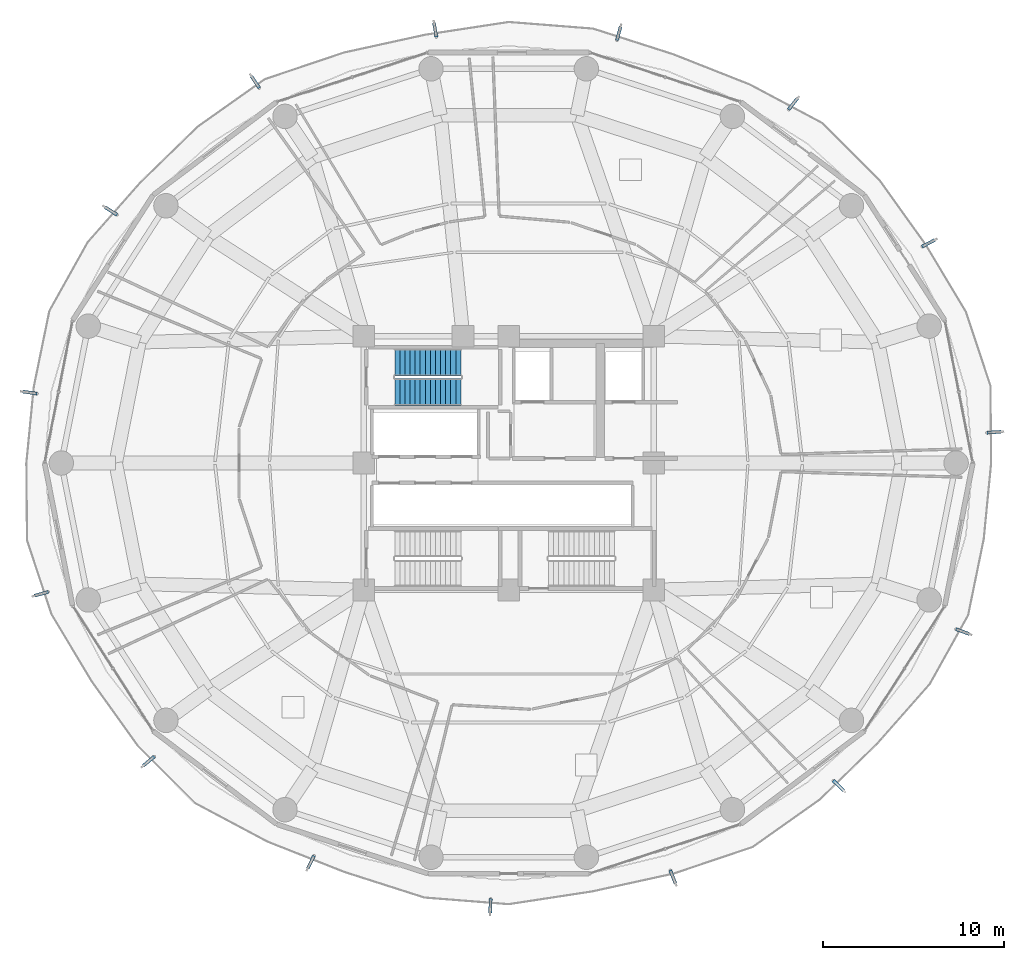
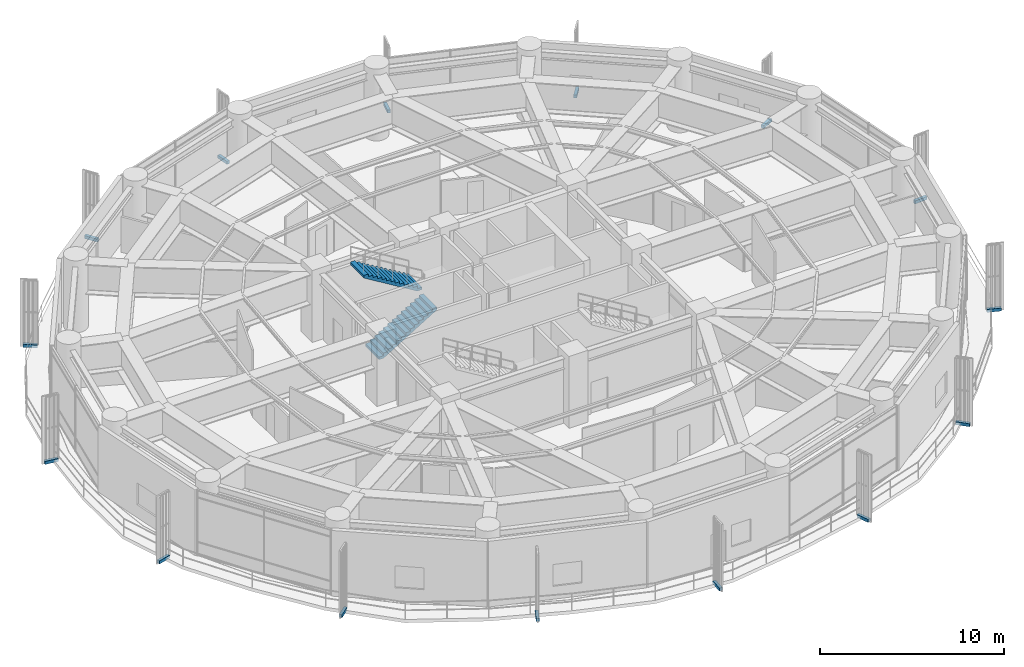
# One storey, part 30 of 34: 15 discrete accessories, 2 stair flights, 1 element without a shape of its own.
"""IFC4 building model written with IfcOpenShell, lengths in metres."""

from ifc_helpers import new_model, si_unit, direction, frame, origin, origin_2d, place, context, subcontext, project, spatial, polyline, rectangle, outline, extrude, source, transform, mapped, material, type_object, element, aggregate, save


model = new_model("IFC4")

# Units and contexts
model_context = context("Model", 3, precision=1e-05, world=origin(), true_north=direction((0.0, 1.0)))
body_context = subcontext(model_context, "Body", "Model", "MODEL_VIEW")
ifc_project = project(units=[si_unit("LENGTHUNIT", "METRE"), si_unit("AREAUNIT", "SQUARE_METRE"), si_unit("VOLUMEUNIT", "CUBIC_METRE"), si_unit("PLANEANGLEUNIT", "RADIAN"), si_unit("MASSUNIT", "GRAM", prefix="KILO")], contexts=[model_context])

# Site, building, storey
site_placement = place(None, origin())
site = spatial("IfcSite", under=ifc_project, at=site_placement, CompositionType="ELEMENT")
building_placement = place(site_placement, origin())
building = spatial("IfcBuilding", under=site, at=building_placement, Name="Kelanora Arch Commons", CompositionType="ELEMENT")
storey_placement = place(building_placement, frame((0.0, 0.0, 125.10009765625)))
storey = spatial("IfcBuildingStorey", under=building, at=storey_placement, Name="L32", CompositionType="ELEMENT", Elevation=125.10009765625)

# Stair, stair flights
ifc_material_1 = material(Name="Concrete C40/50", Category="concrete")
stair_type = type_object("IfcStairType", Name="STR-DL-476", PredefinedType="HALF_TURN_STAIR", material=ifc_material_1)
stair_placement = place(storey_placement, origin())
stair = element("IfcStair", 1, at=stair_placement, inside=storey, type_object=stair_type, Name="L32 ST-T1", PredefinedType="HALF_TURN_STAIR")
stair_flight_type = type_object("IfcStairFlightType", Name="FLT-DL-476", PredefinedType="STRAIGHT", material=ifc_material_1)
stair_flight_1_placement = place(storey_placement, frame((67.719970703125, 61.919921875, 0.0), z_axis=(0.0, 0.0, 1.0), x_axis=(1.0, 0.0, 0.0)))
stair_flight_1 = element("IfcStairFlight", 2, at=stair_flight_1_placement, type_object=stair_flight_type, Name="ST-T1 flight 1", NumberOfRisers=14, NumberOfTreads=13, PredefinedType="STRAIGHT", RiserHeight=0.17, TreadLength=0.28, context=body_context, shape_type="SweptSolid", body=[
    extrude(outline(polyline([(0.0, 0.0), (0.0, 0.169921875), (0.280029296875, 0.169921875), (0.280029296875, 0.340087890625), (0.56005859375, 0.340087890625), (0.56005859375, 0.510009765625), (0.840087890625, 0.510009765625), (0.840087890625, 0.679931640625), (1.1201171875, 0.679931640625), (1.1201171875, 0.85009765625), (1.39990234375, 0.85009765625), (1.39990234375, 1.02001953125), (1.679931640625, 1.02001953125), (1.679931640625, 1.18994140625), (1.9599609375, 1.18994140625), (1.9599609375, 1.360107421875), (2.239990234375, 1.360107421875), (2.239990234375, 1.530029296875), (2.52001953125, 1.530029296875), (2.52001953125, 1.699951171875), (2.800048828125, 1.699951171875), (2.800048828125, 1.8701171875), (3.080078125, 1.8701171875), (3.080078125, 2.0400390625), (3.360107421875, 2.0400390625), (3.360107421875, 2.2099609375), (3.639892578125, 2.2099609375), (3.639892578125, 2.3798828125), (3.639892578125, 2.03466796875), (0.288818359375, 0.0), (0.0, 0.0)])), frame((0.0, 0.739990234375, 0.0), z_axis=(0.0, -1.0, 0.0), x_axis=(1.0, 0.0, 0.0)), (0.0, 0.0, 1.0), 1.47998046875),
])
stair_flight_2_placement = place(storey_placement, frame((71.360107421875, 63.550048828125, 2.3798828125), z_axis=(0.0, 0.0, 1.0), x_axis=(-1.0, 0.0, 0.0)))
stair_flight_2 = element("IfcStairFlight", 3, at=stair_flight_2_placement, type_object=stair_flight_type, Name="ST-T1 flight 2", NumberOfRisers=14, NumberOfTreads=13, PredefinedType="STRAIGHT", RiserHeight=0.17, TreadLength=0.28, context=body_context, shape_type="SweptSolid", body=[
    extrude(outline(polyline([(0.0, 0.0), (0.0, 0.169921875), (0.280029296875, 0.169921875), (0.280029296875, 0.340087890625), (0.56005859375, 0.340087890625), (0.56005859375, 0.510009765625), (0.840087890625, 0.510009765625), (0.840087890625, 0.679931640625), (1.1201171875, 0.679931640625), (1.1201171875, 0.85009765625), (1.39990234375, 0.85009765625), (1.39990234375, 1.02001953125), (1.679931640625, 1.02001953125), (1.679931640625, 1.18994140625), (1.9599609375, 1.18994140625), (1.9599609375, 1.360107421875), (2.239990234375, 1.360107421875), (2.239990234375, 1.530029296875), (2.52001953125, 1.530029296875), (2.52001953125, 1.699951171875), (2.800048828125, 1.699951171875), (2.800048828125, 1.8701171875), (3.080078125, 1.8701171875), (3.080078125, 2.0400390625), (3.360107421875, 2.0400390625), (3.360107421875, 2.2099609375), (3.639892578125, 2.2099609375), (3.639892578125, 2.3798828125), (3.639892578125, 2.03466796875), (0.288818359375, 0.0), (0.0, 0.0)])), frame((0.0, 0.739990234375, 0.0), z_axis=(0.0, -1.0, 0.0), x_axis=(1.0, 0.0, 0.0)), (0.0, 0.0, 1.0), 1.47998046875),
])
aggregate(stair, [stair_flight_1, stair_flight_2])

# Discrete accessories
ifc_material_2 = material(Name="Stainless steel 316 marine fin bracket", Category="steel")
discrete_accessory_type = type_object("IfcDiscreteAccessoryType", Name="ACC-FIN-BRK", PredefinedType="BRACKET", material=ifc_material_2)
shared_shape = source(origin(), body_context, "Body", "SweptSolid", [
    extrude(rectangle(XDim=0.7900390625, YDim=0.179931640625, at=origin_2d()), origin(), (0.0, 0.0, 1.0), 0.199951171875),
])
for number, where, z_axis, x_axis, name in (
    (4, (97.15478515625, 70.1220703125, -0.16015625), (0.0, 0.0, 1.0), (0.885960876527, 0.4637599867, 0.0), "Sweeping Fin Cantilever Spine Bracket L32-00"),
    (5, (89.6826171875, 77.809814453125, -0.16015625), (0.0, 0.0, 1.0), (0.620737354217, 0.784018582101, 0.0), "Sweeping Fin Cantilever Spine Bracket L32-01"),
    (6, (80.0693359375, 81.69482421875, -0.16015625), (0.0, 0.0, 1.0), (0.248182704141, 0.968713242072, 0.0), "Sweeping Fin Cantilever Spine Bracket L32-02"),
    (7, (69.9453125, 81.888427734375, -0.16015625), (0.0, 0.0, 1.0), (-0.16728499015, 0.985908582005, 0.0), "Sweeping Fin Cantilever Spine Bracket L32-03"),
    (8, (60.019775390625, 79.015869140625, -0.16015625), (0.0, 0.0, 1.0), (-0.553827589908, 0.832631371411, 0.0), "Sweeping Fin Cantilever Spine Bracket L32-04"),
    (9, (52.063232421875, 71.90380859375, -0.16015625), (0.0, 0.0, 1.0), (-0.844608368004, 0.535384632481, 0.0), "Sweeping Fin Cantilever Spine Bracket L32-05"),
    (10, (47.593505859375, 61.8837890625, -0.16015625), (0.0, 0.0, 1.0), (-0.989348686247, 0.145565026779, 0.0), "Sweeping Fin Cantilever Spine Bracket L32-06"),
    (11, (48.22314453125, 50.787109375, -0.16015625), (0.0, 0.0, 1.0), (-0.963021628687, -0.26942409447, 0.0), "Sweeping Fin Cantilever Spine Bracket L32-07"),
    (12, (54.146484375, 41.556396484375, -0.16015625), (0.0, 0.0, 1.0), (-0.77017938275, -0.637827342144, 0.0), "Sweeping Fin Cantilever Spine Bracket L32-08"),
    (13, (63.089111328125, 35.98828125, -0.16015625), (0.0, 0.0, 1.0), (-0.444166124676, -0.895944447882, 0.0), "Sweeping Fin Cantilever Spine Bracket L32-09"),
    (14, (72.990234375, 33.573486328125, -0.16015625), (0.0, 0.0, 1.0), (-0.041352508522, -0.999144619181, 0.0), "Sweeping Fin Cantilever Spine Bracket L32-10"),
    (15, (83.053955078125, 35.17041015625, -0.16015625), (0.0, 0.0, 1.0), (0.36861133203, -0.92958360888, 0.0), "Sweeping Fin Cantilever Spine Bracket L32-11"),
    (16, (92.1904296875, 40.207275390625, -0.16015625), (0.0, 0.0, 1.0), (0.714838924546, -0.699289147602, 0.0), "Sweeping Fin Cantilever Spine Bracket L32-12"),
    (17, (99.033935546875, 48.706298828125, -0.16015625), (0.0, 0.0, 1.0), (0.9374643729, -0.348081239861, 0.0), "Sweeping Fin Cantilever Spine Bracket L32-13"),
    (18, (100.768798828125, 59.69970703125, -0.16015625), (0.0, 0.0, 1.0), (0.997993714583, 0.063313076471, 0.0), "Sweeping Fin Cantilever Spine Bracket L32-14"),
):
    element("IfcDiscreteAccessory", number, at=place(storey_placement, frame(where, z_axis=z_axis, x_axis=x_axis)), inside=storey, type_object=discrete_accessory_type, Name=name, PredefinedType="BRACKET", context=body_context, shape_type="MappedRepresentation", body=[
        mapped(shared_shape, transform((0.0, 0.0, 0.0), scale=1.0)),
    ])

save(model, "model.ifc")
